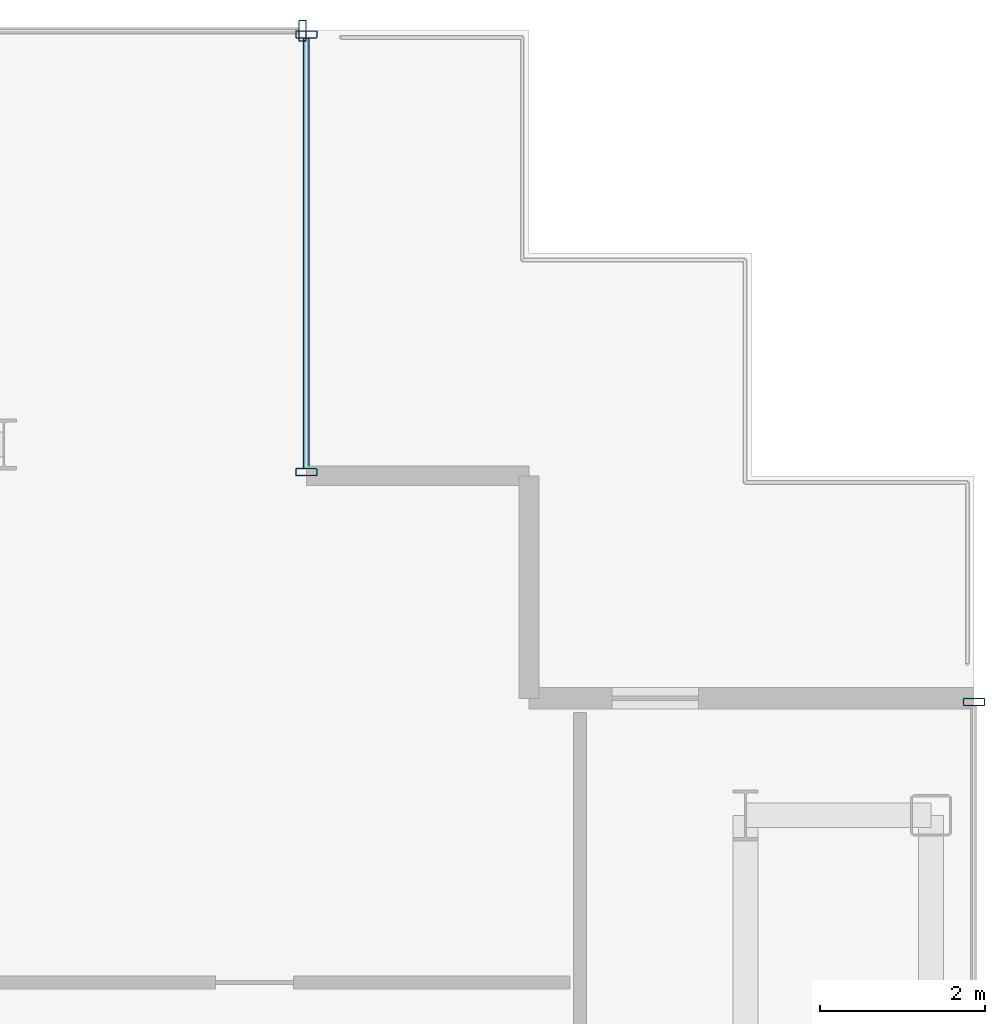
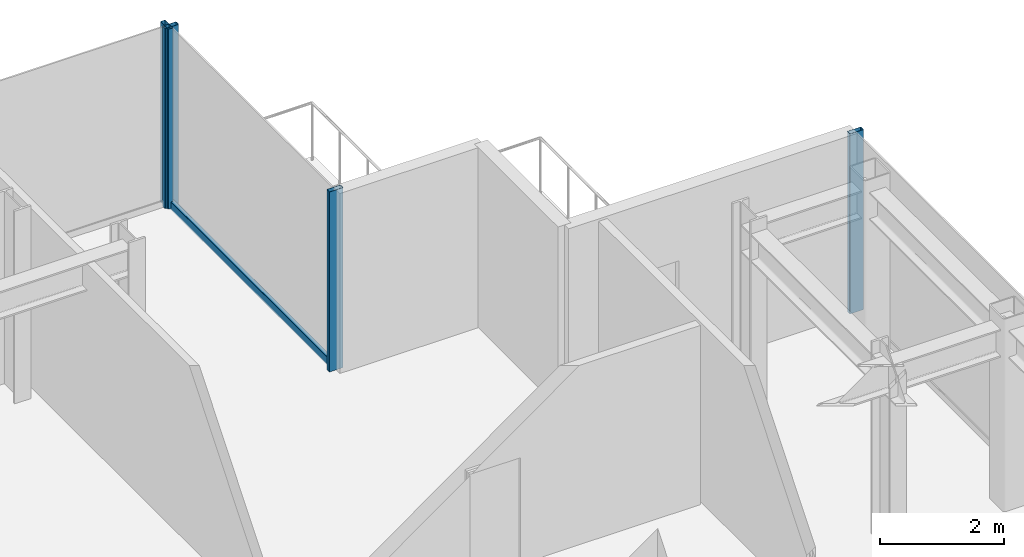
# One storey, part 10 of 17: 5 members, 3 elements without a shape of their own.
"""IFC4 building model written with IfcOpenShell, lengths in metres."""

from ifc_helpers import new_model, si_unit, direction, frame, origin, origin_2d, place, context, subcontext, project, spatial, hollow_rectangle, extrude, source, transform, mapped, material, layer, layer_set, material_profile, profile_set, type_object, element, aggregate, save


model = new_model("IFC4")

# Units and contexts
model_context = context("Model", 3, precision=1e-05, world=origin(), true_north=direction((0.0, 1.0)))
body_context = subcontext(model_context, "Body", "Model", "MODEL_VIEW")
ifc_project = project(units=[si_unit("LENGTHUNIT", "METRE"), si_unit("AREAUNIT", "SQUARE_METRE"), si_unit("VOLUMEUNIT", "CUBIC_METRE"), si_unit("PLANEANGLEUNIT", "RADIAN"), si_unit("MASSUNIT", "GRAM", prefix="KILO")], contexts=[model_context])

# Site, building, storey
site_placement = place(None, origin())
site = spatial("IfcSite", under=ifc_project, at=site_placement, CompositionType="ELEMENT")
building_placement = place(site_placement, origin())
building = spatial("IfcBuilding", under=site, at=building_placement, Name="Nefas-Gora Pilgrimage Tower", CompositionType="ELEMENT")
storey_placement = place(building_placement, frame((0.0, 0.0, 337.60009765625)))
storey = spatial("IfcBuildingStorey", under=building, at=storey_placement, Name="L85", CompositionType="ELEMENT", Elevation=337.60009765625)

# Curtain wall, member
ifc_material_1 = material(Name="Dark ceramic-fritted solar-control aluminium-glass curtain wall", Category="aluminium")
ifc_layer = layer(ifc_material_1, 0.219970703125)
ifc_layer_set = layer_set([ifc_layer], Name="Dark ceramic-fritted solar-control aluminium-glass curtain wall")
curtain_wall_type = type_object("IfcCurtainWallType", Name="CW-SYS-4", PredefinedType="NOTDEFINED", material=ifc_layer_set)
curtain_wall_1_placement = place(storey_placement, origin())
curtain_wall_1 = element("IfcCurtainWall", 1, at=curtain_wall_1_placement, inside=storey, type_object=curtain_wall_type, Name="L85 Unitised Curtain Wall CW4", PredefinedType="NOTDEFINED")
ifc_material_2 = material(Name="Anodised architectural aluminium", Category="aluminium")
ifc_material_profile_1 = material_profile(ifc_material_2, hollow_rectangle(XDim=0.090087890625, YDim=0.260009765625, WallThickness=0.006103515625, InnerFilletRadius=0.006103515625, OuterFilletRadius=0.011962890625, at=origin_2d()), Name="ALU MULLION 90x260")
ifc_profile_set_1 = profile_set([ifc_material_profile_1], Name="Anodised architectural aluminium")
member_type_1 = type_object("IfcMemberType", Name="CWM-MUL-4", PredefinedType="MULLION", material=ifc_profile_set_1)
shared_shape_1 = source(origin(), body_context, "Body", "SweptSolid", [
    extrude(hollow_rectangle(XDim=0.090087890625, YDim=0.260009765625, WallThickness=0.006103515625, InnerFilletRadius=0.006103515625, OuterFilletRadius=0.011962890625, at=origin_2d()), origin(), (0.0, 0.0, 1.0), 3.5498046875),
])
member_1_placement = place(storey_placement, frame((18.52001953125, 14.875, 0.0), z_axis=(0.0, 0.0, 1.0), x_axis=(0.0, 1.0, 0.0)))
member_1 = element("IfcMember", 2, at=member_1_placement, type_object=member_type_1, Name="CW4 Mullion 2", PredefinedType="MULLION", context=body_context, shape_type="MappedRepresentation", body=[
    mapped(shared_shape_1, transform((0.0, 0.0, 0.0), x_axis=(1.0, 0.0, 0.0), y_axis=(0.0, 1.0, 0.0), z_axis=(0.0, 0.0, 1.0), scale=1.0)),
])
aggregate(curtain_wall_1, [member_1])

# Curtain wall, members
curtain_wall_2_placement = place(storey_placement, origin())
curtain_wall_2 = element("IfcCurtainWall", 3, at=curtain_wall_2_placement, inside=storey, type_object=curtain_wall_type, Name="L85 Unitised Curtain Wall CW4", PredefinedType="NOTDEFINED")
member_2_placement = place(storey_placement, frame((10.419921875, 17.6650390625, 0.0), z_axis=(0.0, 0.0, 1.0), x_axis=(0.0, 1.0, 0.0)))
member_2 = element("IfcMember", 4, at=member_2_placement, type_object=member_type_1, Name="CW4 Mullion 1", PredefinedType="MULLION", context=body_context, shape_type="MappedRepresentation", body=[
    mapped(shared_shape_1, transform((0.0, 0.0, 0.0), x_axis=(1.0, 0.0, 0.0), y_axis=(0.0, 1.0, 0.0), z_axis=(0.0, 0.0, 1.0), scale=1.0)),
])
member_3_placement = place(storey_placement, frame((10.419921875, 22.97509765625, 0.0), z_axis=(0.0, 0.0, 1.0), x_axis=(0.0, 1.0, 0.0)))
member_3 = element("IfcMember", 5, at=member_3_placement, type_object=member_type_1, Name="CW4 Mullion 2", PredefinedType="MULLION", context=body_context, shape_type="MappedRepresentation", body=[
    mapped(shared_shape_1, transform((0.0, 0.0, 0.0), x_axis=(1.0, 0.0, 0.0), y_axis=(0.0, 1.0, 0.0), z_axis=(0.0, 0.0, 1.0), scale=1.0)),
])

# Curtain wall, member
curtain_wall_3_placement = place(storey_placement, origin())
curtain_wall_3 = element("IfcCurtainWall", 6, at=curtain_wall_3_placement, inside=storey, type_object=curtain_wall_type, Name="L85 Unitised Curtain Wall CW4", PredefinedType="NOTDEFINED")
member_4_placement = place(storey_placement, frame((10.375, 23.02001953125, 0.0), z_axis=(0.0, 0.0, 1.0), x_axis=(-1.0, 0.0, 0.0)))
member_4 = element("IfcMember", 7, at=member_4_placement, type_object=member_type_1, Name="CW4 Mullion 1", PredefinedType="MULLION", context=body_context, shape_type="MappedRepresentation", body=[
    mapped(shared_shape_1, transform((0.0, 0.0, 0.0), x_axis=(1.0, 0.0, 0.0), y_axis=(0.0, 1.0, 0.0), z_axis=(0.0, 0.0, 1.0), scale=1.0)),
])
aggregate(curtain_wall_3, [member_4])

# Member
ifc_material_profile_2 = material_profile(ifc_material_2, hollow_rectangle(XDim=0.080078125, YDim=0.159912109375, WallThickness=0.00439453125, InnerFilletRadius=0.00439453125, OuterFilletRadius=0.009033203125, at=origin_2d()), Name="ALU TRANSOM 80x160")
ifc_profile_set_2 = profile_set([ifc_material_profile_2], Name="Anodised architectural aluminium")
member_type_2 = type_object("IfcMemberType", Name="CWM-TRN-4", PredefinedType="USERDEFINED", material=ifc_profile_set_2)
shared_shape_2 = source(origin(), body_context, "Body", "SweptSolid", [
    extrude(hollow_rectangle(XDim=0.080078125, YDim=0.159912109375, WallThickness=0.00439453125, InnerFilletRadius=0.00439453125, OuterFilletRadius=0.009033203125, at=origin_2d()), origin(), (0.0, 0.0, 1.0), 5.219970703125),
])
member_5_placement = place(storey_placement, frame((10.419921875, 17.7099609375, 0.0498046875), z_axis=(0.0, 1.0, 0.0), x_axis=(-1.0, 0.0, 0.0)))
member_5 = element("IfcMember", 8, at=member_5_placement, type_object=member_type_2, Name="CW4 Spandrel Transom", ObjectType="TRANSOM", PredefinedType="USERDEFINED", context=body_context, shape_type="MappedRepresentation", body=[
    mapped(shared_shape_2, transform((0.0, 0.0, 0.0), x_axis=(1.0, 0.0, 0.0), y_axis=(0.0, 1.0, 0.0), z_axis=(0.0, 0.0, 1.0), scale=1.0)),
])

aggregate(curtain_wall_2, [member_2, member_3, member_5])

save(model, "model.ifc")
